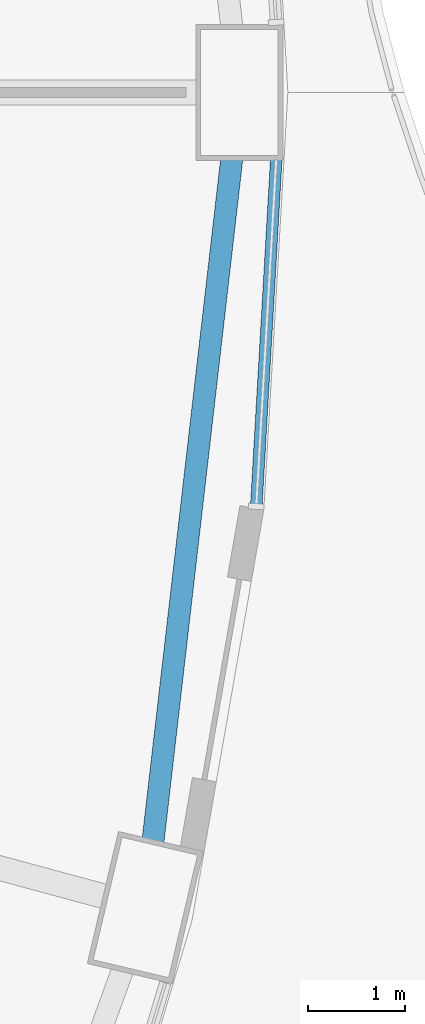
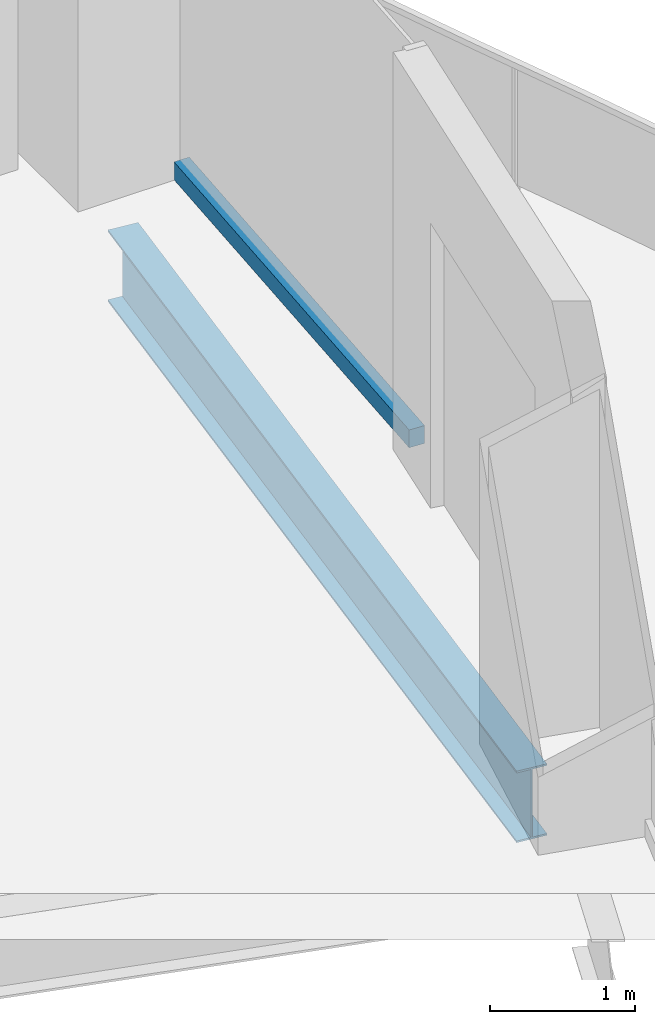
# One storey, part 6 of 22: 1 beam, 1 member, 1 element without a shape of its own.
"""IFC4 building model written with IfcOpenShell, lengths in metres."""

from ifc_helpers import new_model, si_unit, direction, frame, origin, origin_2d, place, context, subcontext, project, spatial, rectangle, i_section, extrude, material, layer, layer_set, material_profile, profile_set, type_object, element, aggregate, save


model = new_model("IFC4")

# Units and contexts
model_context = context("Model", 3, precision=1e-05, world=origin(), true_north=direction((0.0, 1.0)))
body_context = subcontext(model_context, "Body", "Model", "MODEL_VIEW")
ifc_project = project(units=[si_unit("LENGTHUNIT", "METRE"), si_unit("AREAUNIT", "SQUARE_METRE"), si_unit("VOLUMEUNIT", "CUBIC_METRE"), si_unit("PLANEANGLEUNIT", "RADIAN"), si_unit("MASSUNIT", "GRAM", prefix="KILO")], contexts=[model_context])

# Site, building, storey
site_placement = place(None, origin())
site = spatial("IfcSite", under=ifc_project, at=site_placement, CompositionType="ELEMENT")
building_placement = place(site_placement, origin())
building = spatial("IfcBuilding", under=site, at=building_placement, Name="Nagisa Residences", CompositionType="ELEMENT")
storey_placement = place(building_placement, frame((0.0, 0.0, 64.0)))
storey = spatial("IfcBuildingStorey", under=building, at=storey_placement, Name="L15", CompositionType="ELEMENT", Elevation=64.0)

# Curtain wall, member
ifc_material_1 = material(Name="Concrete-coloured aluminium curtain wall system", Category="concrete")
ifc_layer = layer(ifc_material_1, 0.159912109375)
ifc_layer_set = layer_set([ifc_layer], Name="CW1 CURTAIN WALL")
curtain_wall_type = type_object("IfcCurtainWallType", Name="CW1 CURTAIN WALL", PredefinedType="NOTDEFINED", material=ifc_layer_set)
curtain_wall_placement = place(storey_placement, origin())
curtain_wall = element("IfcCurtainWall", 1, at=curtain_wall_placement, inside=storey, type_object=curtain_wall_type, Name="cw:CW1:L15:47", PredefinedType="NOTDEFINED")
ifc_material_2 = material(Name="Concrete-coloured aluminium", Category="concrete")
ifc_material_profile_1 = material_profile(ifc_material_2, rectangle(XDim=0.1201171875, YDim=0.14990234375, at=origin_2d()), Name="CW1 TRANSOM 120x150")
ifc_profile_set_1 = profile_set([ifc_material_profile_1], Name="Concrete-coloured aluminium")
member_type = type_object("IfcMemberType", Name="CW1 TRANSOM 120x150", PredefinedType="USERDEFINED", material=ifc_profile_set_1)
member_placement = place(storey_placement, frame((32.27197265625, -4.302734375, 0.074951171875), z_axis=(0.057549926952, 0.998342629515, 0.0), x_axis=(-0.998342629515, 0.057549926952, 0.0)))
member = element("IfcMember", 2, at=member_placement, type_object=member_type, Name="CW1 transom", ObjectType="TRANSOM", PredefinedType="USERDEFINED", context=body_context, shape_type="SweptSolid", body=[
    extrude(rectangle(XDim=0.1201171875, YDim=0.14990234375, at=origin_2d()), origin(), (0.0, 0.0, 1.0), 3.614501953125),
])
aggregate(curtain_wall, [member])

# Beam
ifc_material_3 = material(Name="Steel ASTM A572 Gr 50", Category="steel")
ifc_material_profile_2 = material_profile(ifc_material_3, i_section(OverallWidth=0.22802734375, OverallDepth=0.60302734375, WebThickness=0.010498046875, FlangeThickness=0.014892578125, at=origin_2d()), Name="W610x101")
ifc_profile_set_2 = profile_set([ifc_material_profile_2], Name="Steel ASTM A572 Gr 50")
beam_type = type_object("IfcBeamType", Name="Perimeter ring beam W610x101", PredefinedType="BEAM", material=ifc_profile_set_2)
beam_placement = place(storey_placement, frame((31.20751953125, -7.7314453125, -0.5615234375), z_axis=(0.114673717321, 0.993403210462, 0.0), x_axis=(-0.993403210462, 0.114673717321, 0.0)))
element("IfcBeam", 3, at=beam_placement, inside=storey, type_object=beam_type, Name="beam:L15:pb24", PredefinedType="BEAM", context=body_context, shape_type="SweptSolid", body=[
    extrude(i_section(OverallWidth=0.22802734375, OverallDepth=0.60302734375, WebThickness=0.010498046875, FlangeThickness=0.014892578125, at=origin_2d()), origin(), (0.0, 0.0, 1.0), 7.09814453125),
])

save(model, "model.ifc")
